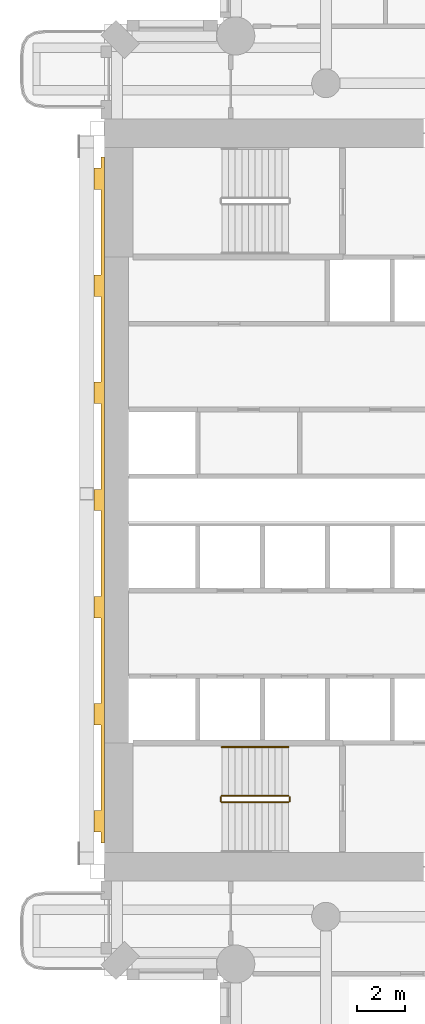
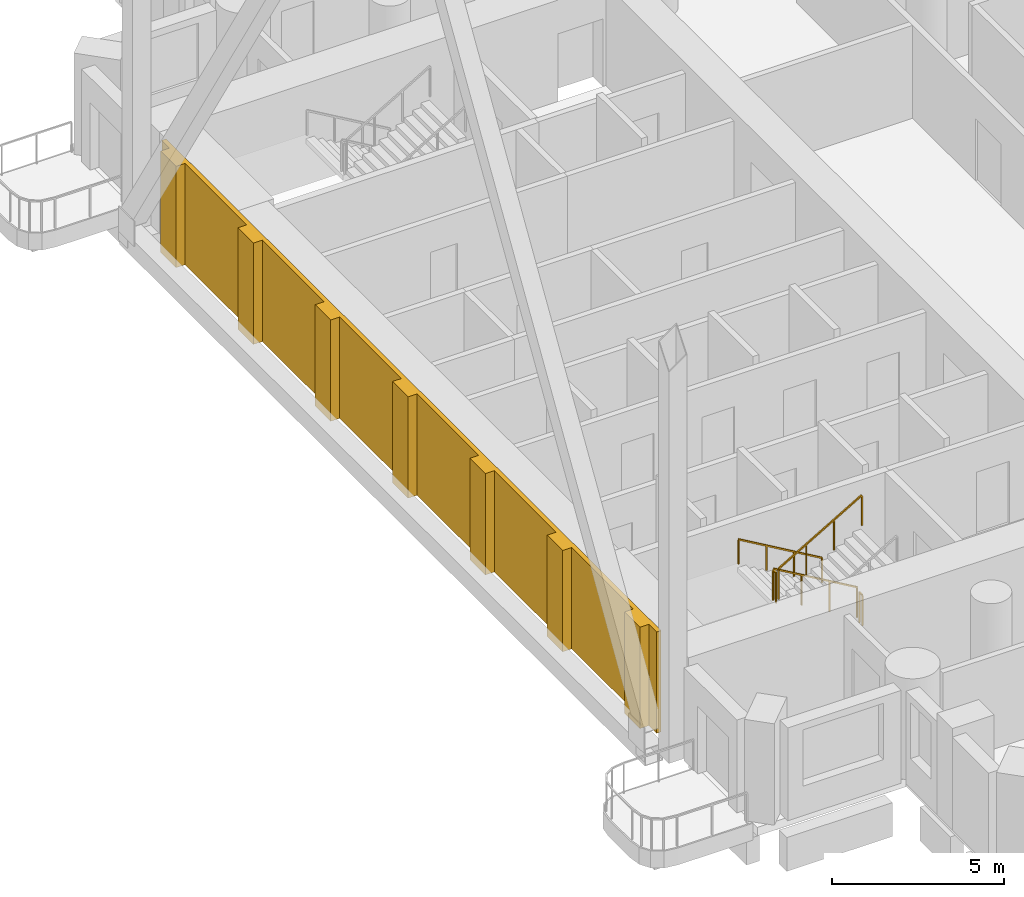
# One storey, part 18 of 24: 5 railings, 1 covering.
"""IFC4 building model written with IfcOpenShell, lengths in metres."""

from ifc_helpers import new_model, si_unit, direction, frame, origin, origin_2d, place, context, subcontext, project, spatial, polyline, rectangle, outline, extrude, material, layer, layer_set, type_object, element, save


model = new_model("IFC4")

# Units and contexts
model_context = context("Model", 3, precision=1e-05, world=origin(), true_north=direction((0.0, 1.0)))
body_context = subcontext(model_context, "Body", "Model", "MODEL_VIEW")
ifc_project = project(units=[si_unit("LENGTHUNIT", "METRE"), si_unit("AREAUNIT", "SQUARE_METRE"), si_unit("VOLUMEUNIT", "CUBIC_METRE"), si_unit("PLANEANGLEUNIT", "RADIAN"), si_unit("MASSUNIT", "GRAM", prefix="KILO")], contexts=[model_context])

# Site, building, storey
site_placement = place(None, origin())
site = spatial("IfcSite", under=ifc_project, at=site_placement, CompositionType="ELEMENT")
building_placement = place(site_placement, origin())
building = spatial("IfcBuilding", under=site, at=building_placement, Name="Cypress Arch Tower", CompositionType="ELEMENT")
storey_placement = place(building_placement, frame((0.0, 0.0, 102.300048828125)))
storey = spatial("IfcBuildingStorey", under=building, at=storey_placement, Name="L20", CompositionType="ELEMENT", Elevation=102.300048828125)

# Railings
ifc_material_1 = material(Name="Black powder-coated steel square bar 48 mm", Category="steel")
railing_type_1 = type_object("IfcRailingType", Name="Stair handrail HR1", PredefinedType="HANDRAIL", material=ifc_material_1)
railing_1_placement = place(storey_placement, frame((-22.27490234375, -10.375, 0.16357421875)))
element("IfcRailing", 1, at=railing_1_placement, inside=storey, type_object=railing_type_1, Name="L20 A stair handrail 1", PredefinedType="HANDRAIL", context=body_context, shape_type="SweptSolid", body=[
    extrude(rectangle(XDim=0.048095703125, YDim=0.048095703125, at=origin_2d()), frame((0.0, 0.0, 0.8759765625), z_axis=(-0.863360870873, 0.0, 0.504586966384), x_axis=(0.0, -1.0, 0.0)), (0.0, 0.0, 1.0), 3.2431640625),
    extrude(rectangle(XDim=0.0419921875, YDim=0.0419921875, at=origin_2d()), origin(), (0.0, 0.0, 1.0), 0.851806640625),
    extrude(rectangle(XDim=0.0419921875, YDim=0.0419921875, at=origin_2d()), frame((-0.933349609375, 0.0, 0.54541015625)), (0.0, 0.0, 1.0), 0.851806640625),
    extrude(rectangle(XDim=0.0419921875, YDim=0.0419921875, at=origin_2d()), frame((-1.86669921875, 0.0, 1.091064453125)), (0.0, 0.0, 1.0), 0.851806640625),
    extrude(rectangle(XDim=0.0419921875, YDim=0.0419921875, at=origin_2d()), frame((-2.800048828125, 0.0, 1.636474609375)), (0.0, 0.0, 1.0), 0.851806640625),
])
ifc_material_2 = material(Name="Black powder-coated steel balusters", Category="steel")
railing_type_2 = type_object("IfcRailingType", Name="Stair well guard G1", PredefinedType="GUARDRAIL", material=ifc_material_2)
railing_2_placement = place(storey_placement, frame((-22.27490234375, -12.425048828125, 0.16357421875)))
element("IfcRailing", 2, at=railing_2_placement, inside=storey, type_object=railing_type_2, Name="L20 A stair guard 1", PredefinedType="GUARDRAIL", context=body_context, shape_type="SweptSolid", body=[
    extrude(rectangle(XDim=0.048095703125, YDim=0.048095703125, at=origin_2d()), frame((0.0, 0.0, 1.076171875), z_axis=(-0.863360870873, 0.0, 0.504586966384), x_axis=(0.0, -1.0, 0.0)), (0.0, 0.0, 1.0), 3.2431640625),
    extrude(rectangle(XDim=0.0419921875, YDim=0.0419921875, at=origin_2d()), origin(), (0.0, 0.0, 1.0), 1.052001953125),
    extrude(rectangle(XDim=0.0419921875, YDim=0.0419921875, at=origin_2d()), frame((-0.933349609375, 0.0, 0.54541015625)), (0.0, 0.0, 1.0), 1.052001953125),
    extrude(rectangle(XDim=0.0419921875, YDim=0.0419921875, at=origin_2d()), frame((-1.86669921875, 0.0, 1.091064453125)), (0.0, 0.0, 1.0), 1.052001953125),
    extrude(rectangle(XDim=0.0419921875, YDim=0.0419921875, at=origin_2d()), frame((-2.800048828125, 0.0, 1.636474609375)), (0.0, 0.0, 1.0), 1.052001953125),
])
railing_3_placement = place(storey_placement, frame((-25.125, -12.47509765625, 1.800048828125)))
element("IfcRailing", 3, at=railing_3_placement, inside=storey, type_object=railing_type_2, Name="L20 A stair guard 2", PredefinedType="GUARDRAIL", context=body_context, shape_type="SweptSolid", body=[
    extrude(rectangle(XDim=0.048095703125, YDim=0.048095703125, at=origin_2d()), frame((0.0, 0.0, 1.076171875), z_axis=(0.0, -1.0, 0.0), x_axis=(1.0, 0.0, 0.0)), (0.0, 0.0, 1.0), 0.1748046875),
    extrude(rectangle(XDim=0.0419921875, YDim=0.0419921875, at=origin_2d()), origin(), (0.0, 0.0, 1.0), 1.052001953125),
    extrude(rectangle(XDim=0.0419921875, YDim=0.0419921875, at=origin_2d()), frame((0.0, -0.1748046875, 0.0)), (0.0, 0.0, 1.0), 1.052001953125),
])
railing_4_placement = place(storey_placement, frame((-25.074951171875, -12.699951171875, 1.963623046875)))
element("IfcRailing", 4, at=railing_4_placement, inside=storey, type_object=railing_type_2, Name="L20 A stair guard 3", PredefinedType="GUARDRAIL", context=body_context, shape_type="SweptSolid", body=[
    extrude(rectangle(XDim=0.048095703125, YDim=0.048095703125, at=origin_2d()), frame((0.0, 0.0, 1.076171875), z_axis=(0.863393664356, 0.0, 0.504530851732), x_axis=(0.0, 1.0, 0.0)), (0.0, 0.0, 1.0), 3.2431640625),
    extrude(rectangle(XDim=0.0419921875, YDim=0.0419921875, at=origin_2d()), origin(), (0.0, 0.0, 1.0), 1.052001953125),
    extrude(rectangle(XDim=0.0419921875, YDim=0.0419921875, at=origin_2d()), frame((0.933349609375, 0.0, 0.54541015625)), (0.0, 0.0, 1.0), 1.052001953125),
    extrude(rectangle(XDim=0.0419921875, YDim=0.0419921875, at=origin_2d()), frame((1.86669921875, 0.0, 1.0908203125)), (0.0, 0.0, 1.0), 1.052001953125),
    extrude(rectangle(XDim=0.0419921875, YDim=0.0419921875, at=origin_2d()), frame((2.800048828125, 0.0, 1.63623046875)), (0.0, 0.0, 1.0), 1.052001953125),
])
railing_5_placement = place(storey_placement, frame((-22.22509765625, -12.47509765625, 0.0)))
element("IfcRailing", 5, at=railing_5_placement, inside=storey, type_object=railing_type_2, Name="L20 A stair guard 4", PredefinedType="GUARDRAIL", context=body_context, shape_type="SweptSolid", body=[
    extrude(rectangle(XDim=0.048095703125, YDim=0.048095703125, at=origin_2d()), frame((0.0, 0.0, 1.076171875), z_axis=(0.0, -1.0, 0.0), x_axis=(1.0, 0.0, 0.0)), (0.0, 0.0, 1.0), 0.1748046875),
    extrude(rectangle(XDim=0.0419921875, YDim=0.0419921875, at=origin_2d()), origin(), (0.0, 0.0, 1.0), 1.052001953125),
    extrude(rectangle(XDim=0.0419921875, YDim=0.0419921875, at=origin_2d()), frame((0.0, -0.1748046875, 0.0)), (0.0, 0.0, 1.0), 1.052001953125),
])

# Covering
ifc_material_3 = material(Name="Brick (red buff blend)", Category="masonry")
ifc_layer = layer(ifc_material_3, 0.449951171875)
ifc_layer_set = layer_set([ifc_layer], Name="West face brick piers WP450")
covering_type = type_object("IfcCoveringType", Name="West face brick piers WP450", PredefinedType="CLADDING", material=ifc_layer_set)
covering_placement = place(storey_placement, origin())
element("IfcCovering", 6, at=covering_placement, inside=storey, type_object=covering_type, Name="West face brick piers L20", PredefinedType="CLADDING", context=body_context, shape_type="SweptSolid", body=[
    extrude(outline(polyline([(-30.14990234375, -13.050048828125), (-30.14990234375, -9.449951171875), (-30.449951171875, -9.449951171875), (-30.449951171875, -8.550048828125), (-30.14990234375, -8.550048828125), (-30.14990234375, -4.949951171875), (-30.449951171875, -4.949951171875), (-30.449951171875, -4.050048828125), (-30.14990234375, -4.050048828125), (-30.14990234375, -0.449951171875), (-30.449951171875, -0.449951171875), (-30.449951171875, 0.449951171875), (-30.14990234375, 0.449951171875), (-30.14990234375, 4.050048828125), (-30.449951171875, 4.050048828125), (-30.449951171875, 4.949951171875), (-30.14990234375, 4.949951171875), (-30.14990234375, 8.550048828125), (-30.449951171875, 8.550048828125), (-30.449951171875, 9.449951171875), (-30.14990234375, 9.449951171875), (-30.14990234375, 13.050048828125), (-30.449951171875, 13.050048828125), (-30.449951171875, 13.949951171875), (-30.14990234375, 13.949951171875), (-30.14990234375, 14.39990234375), (-30.0, 14.39990234375), (-30.0, -14.39990234375), (-30.14990234375, -14.39990234375), (-30.14990234375, -13.949951171875), (-30.449951171875, -13.949951171875), (-30.449951171875, -13.050048828125), (-30.14990234375, -13.050048828125)])), origin(), (0.0, 0.0, 1.0), 3.599853515625),
])

save(model, "model.ifc")
